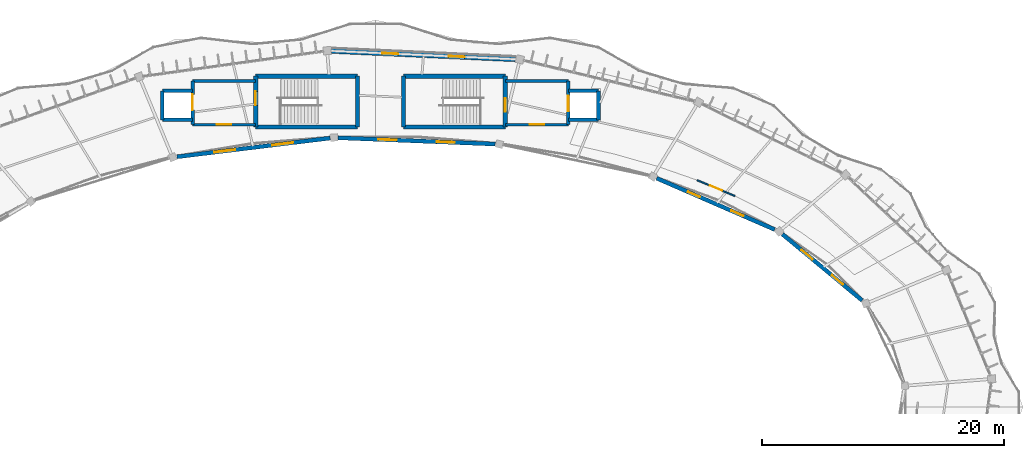
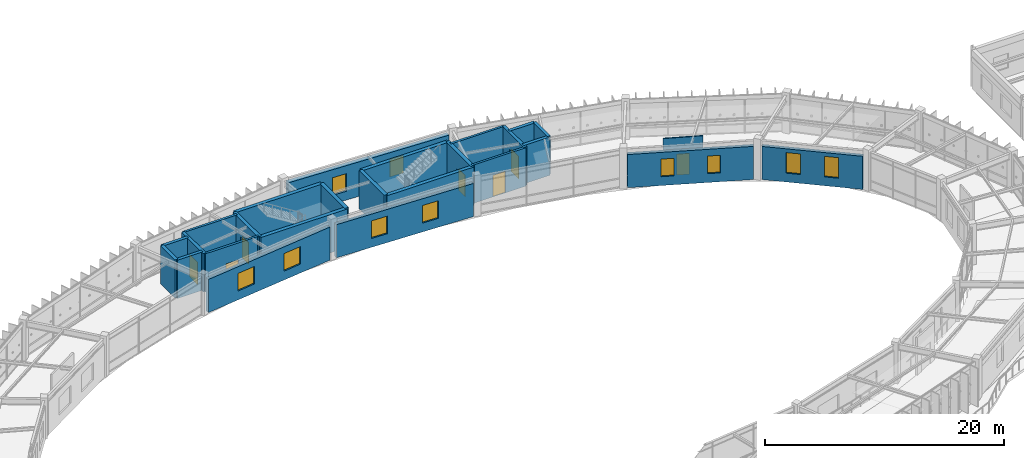
# One storey, part 94 of 114: 26 walls, 10 windows, 7 doors, 17 openings.
"""IFC4 building model written with IfcOpenShell, lengths in metres."""

from ifc_helpers import new_model, si_unit, direction, frame, frame_2d, origin, place, context, subcontext, project, spatial, rectangle, extrude, material, layer, layer_set, type_object, element, fill, save


model = new_model("IFC4")

# Units and contexts
model_context = context("Model", 3, precision=1e-05, world=origin(), true_north=direction((0.0, 1.0)))
body_context = subcontext(model_context, "Body", "Model", "MODEL_VIEW")
ifc_project = project(units=[si_unit("LENGTHUNIT", "METRE"), si_unit("AREAUNIT", "SQUARE_METRE"), si_unit("VOLUMEUNIT", "CUBIC_METRE"), si_unit("PLANEANGLEUNIT", "RADIAN"), si_unit("MASSUNIT", "GRAM", prefix="KILO"), si_unit("THERMODYNAMICTEMPERATUREUNIT", "KELVIN"), si_unit("POWERUNIT", "WATT")], contexts=[model_context])

# Site, building, storey
site_placement = place(None, origin())
site = spatial("IfcSite", under=ifc_project, at=site_placement, CompositionType="ELEMENT")
building_placement = place(site_placement, origin())
building = spatial("IfcBuilding", under=site, at=building_placement, Name="Darbajah Civic Hall", CompositionType="ELEMENT")
storey_placement = place(building_placement, frame((0.0, 0.0, 13.800048828125)))
storey = spatial("IfcBuildingStorey", under=building, at=storey_placement, Name="L03", CompositionType="ELEMENT", Elevation=13.800048828125)

# Wall, opening, door
ifc_material_1 = material(Name="Concrete C45/55", Category="concrete")
ifc_layer_1 = layer(ifc_material_1, 0.300048828125, Name="Concrete C45/55")
ifc_layer_set_1 = layer_set([ifc_layer_1], Name="Concrete C45/55")
wall_type_1 = type_object("IfcWallType", Name="Core Shear Wall 300mm", PredefinedType="SHEAR", material=ifc_layer_set_1)
wall_1_placement = place(storey_placement, frame((74.0, 116.699951171875, 0.0), z_axis=(0.0, 0.0, 1.0), x_axis=(0.0, -1.0, 0.0)))
wall_1 = element("IfcWall", 1, at=wall_1_placement, inside=storey, type_object=wall_type_1, Name="L03 firefighting lobby C01 wall W", PredefinedType="SHEAR", context=body_context, shape_type="SweptSolid", body=[
    extrude(rectangle(XDim=3.599853515625, YDim=0.300048828125, at=frame_2d((1.7998046875, 0.0))), origin(), (0.0, 0.0, 1.0), 3.919921875),
])
opening_1_placement = place(wall_1_placement, frame((1.10009765625, 0.0, 0.0)))
opening_1 = element("IfcOpeningElement", 2, at=opening_1_placement, cuts=wall_1, Name="Opening LD-0018", PredefinedType="OPENING", context=body_context, shape_type="SweptSolid", body=[
    extrude(rectangle(XDim=1.300048828125, YDim=2.300048828125, at=frame_2d((0.64990234375, 1.14990234375))), frame((0.0, 0.159912109375, 0.0), z_axis=(0.0, -1.0, 0.0), x_axis=(1.0, 0.0, 0.0)), (0.0, 0.0, 1.0), 0.320068359375),
])
ifc_material_2 = material(Name="Firefighting Lift Landing Door")
door_type_1 = type_object("IfcDoorType", Name="Lift Landing Door 1300x2300", OperationType="SLIDING_TO_LEFT", PredefinedType="DOOR", material=ifc_material_2)
door_1_placement = place(opening_1_placement, origin())
door_1 = element("IfcDoor", 3, at=door_1_placement, inside=storey, type_object=door_type_1, Name="L03 firefighting lift FL1 landing door LD-0018", OperationType="SLIDING_TO_LEFT", OverallHeight=2.300048828125, OverallWidth=1.300048828125, PredefinedType="DOOR", context=body_context, shape_type="SweptSolid", body=[
    extrude(rectangle(XDim=1.300048828125, YDim=2.300048828125, at=frame_2d((0.64990234375, 1.14990234375))), frame((0.0, 0.02490234375, 0.0), z_axis=(0.0, -1.0, 0.0), x_axis=(1.0, 0.0, 0.0)), (0.0, 0.0, 1.0), 0.050048828125),
])
fill(opening_1, door_1)

# Walls
for number, where, z_axis, x_axis, name in (
    (4, (74.0, 115.89990234375, 0.0), (0.0, 0.0, 1.0), (-1.0, 0.0, 0.0), "L03 lift FL1 shaft wall N"),
    (5, (71.5, 113.5, 0.0), (0.0, 0.0, 1.0), (1.0, 0.0, 0.0), "L03 lift FL1 shaft wall S"),
):
    element("IfcWall", number, at=place(storey_placement, frame(where, z_axis=z_axis, x_axis=x_axis)), inside=storey, type_object=wall_type_1, Name=name, PredefinedType="SHEAR", context=body_context, shape_type="SweptSolid", body=[
        extrude(rectangle(XDim=2.5, YDim=0.300048828125, at=frame_2d((1.25, 0.0))), origin(), (0.0, 0.0, 1.0), 3.919921875),
    ])
wall_2_placement = place(storey_placement, frame((71.5, 115.89990234375, 0.0), z_axis=(0.0, 0.0, 1.0), x_axis=(0.0, -1.0, 0.0)))
element("IfcWall", 6, at=wall_2_placement, inside=storey, type_object=wall_type_1, Name="L03 lift FL1 shaft wall OUT", PredefinedType="SHEAR", context=body_context, shape_type="SweptSolid", body=[
    extrude(rectangle(XDim=2.39990234375, YDim=0.300048828125, at=frame_2d((1.199951171875, 0.0))), origin(), (0.0, 0.0, 1.0), 3.919921875),
])

# Wall, opening, door
wall_3_placement = place(storey_placement, frame((105.0, 113.10009765625, 0.0), z_axis=(0.0, 0.0, 1.0), x_axis=(0.0, 1.0, 0.0)))
wall_3 = element("IfcWall", 7, at=wall_3_placement, inside=storey, type_object=wall_type_1, Name="L03 firefighting lobby C02 wall E", PredefinedType="SHEAR", context=body_context, shape_type="SweptSolid", body=[
    extrude(rectangle(XDim=3.599853515625, YDim=0.300048828125, at=frame_2d((1.7998046875, 0.0))), origin(), (0.0, 0.0, 1.0), 3.919921875),
])
opening_2_placement = place(wall_3_placement, frame((1.10009765625, 0.0, 0.0)))
opening_2 = element("IfcOpeningElement", 8, at=opening_2_placement, cuts=wall_3, Name="Opening LD-0039", PredefinedType="OPENING", context=body_context, shape_type="SweptSolid", body=[
    extrude(rectangle(XDim=1.300048828125, YDim=2.300048828125, at=frame_2d((0.64990234375, 1.14990234375))), frame((0.0, 0.159912109375, 0.0), z_axis=(0.0, -1.0, 0.0), x_axis=(1.0, 0.0, 0.0)), (0.0, 0.0, 1.0), 0.320068359375),
])
door_2_placement = place(opening_2_placement, origin())
door_2 = element("IfcDoor", 9, at=door_2_placement, inside=storey, type_object=door_type_1, Name="L03 firefighting lift FL2 landing door LD-0039", OperationType="SLIDING_TO_LEFT", OverallHeight=2.300048828125, OverallWidth=1.300048828125, PredefinedType="DOOR", context=body_context, shape_type="SweptSolid", body=[
    extrude(rectangle(XDim=1.300048828125, YDim=2.300048828125, at=frame_2d((0.64990234375, 1.14990234375))), frame((0.0, 0.02490234375, 0.0), z_axis=(0.0, -1.0, 0.0), x_axis=(1.0, 0.0, 0.0)), (0.0, 0.0, 1.0), 0.050048828125),
])
fill(opening_2, door_2)

# Walls
for number, where, z_axis, x_axis, name in (
    (10, (107.5, 115.89990234375, 0.0), (0.0, 0.0, 1.0), (-1.0, 0.0, 0.0), "L03 lift FL2 shaft wall N"),
    (11, (105.0, 113.5, 0.0), (0.0, 0.0, 1.0), (1.0, 0.0, 0.0), "L03 lift FL2 shaft wall S"),
):
    element("IfcWall", number, at=place(storey_placement, frame(where, z_axis=z_axis, x_axis=x_axis)), inside=storey, type_object=wall_type_1, Name=name, PredefinedType="SHEAR", context=body_context, shape_type="SweptSolid", body=[
        extrude(rectangle(XDim=2.5, YDim=0.300048828125, at=frame_2d((1.25, 0.0))), origin(), (0.0, 0.0, 1.0), 3.919921875),
    ])
wall_4_placement = place(storey_placement, frame((107.5, 113.5, 0.0), z_axis=(0.0, 0.0, 1.0), x_axis=(0.0, 1.0, 0.0)))
element("IfcWall", 12, at=wall_4_placement, inside=storey, type_object=wall_type_1, Name="L03 lift FL2 shaft wall OUT", PredefinedType="SHEAR", context=body_context, shape_type="SweptSolid", body=[
    extrude(rectangle(XDim=2.39990234375, YDim=0.300048828125, at=frame_2d((1.199951171875, 0.0))), origin(), (0.0, 0.0, 1.0), 3.919921875),
])
ifc_material_3 = material(Name="Concrete C50/60", Category="concrete")
ifc_layer_2 = layer(ifc_material_3, 0.35009765625, Name="Concrete C50/60")
ifc_layer_set_2 = layer_set([ifc_layer_2], Name="Concrete C50/60")
wall_type_2 = type_object("IfcWallType", Name="Core Shear Wall 350mm", PredefinedType="SHEAR", material=ifc_layer_set_2)
wall_5_placement = place(storey_placement, frame((79.199951171875, 112.89990234375, 0.0), z_axis=(0.0, 0.0, 1.0), x_axis=(1.0, 0.0, 0.0)))
element("IfcWall", 13, at=wall_5_placement, inside=storey, type_object=wall_type_2, Name="L03 core C01 shear wall S", PredefinedType="SHEAR", context=body_context, shape_type="SweptSolid", body=[
    extrude(rectangle(XDim=8.400146484375, YDim=0.35009765625, at=frame_2d((4.2001953125, 0.0))), origin(), (0.0, 0.0, 1.0), 3.919921875),
])
wall_6_placement = place(storey_placement, frame((87.60009765625, 112.89990234375, 0.0), z_axis=(0.0, 0.0, 1.0), x_axis=(0.0, 1.0, 0.0)))
element("IfcWall", 14, at=wall_6_placement, inside=storey, type_object=wall_type_2, Name="L03 core C01 shear wall E", PredefinedType="SHEAR", context=body_context, shape_type="SweptSolid", body=[
    extrude(rectangle(XDim=4.2001953125, YDim=0.35009765625, at=frame_2d((2.10009765625, 0.0))), origin(), (0.0, 0.0, 1.0), 3.919921875),
])
wall_7_placement = place(storey_placement, frame((87.60009765625, 117.10009765625, 0.0), z_axis=(0.0, 0.0, 1.0), x_axis=(-1.0, 0.0, 0.0)))
element("IfcWall", 15, at=wall_7_placement, inside=storey, type_object=wall_type_2, Name="L03 core C01 shear wall N", PredefinedType="SHEAR", context=body_context, shape_type="SweptSolid", body=[
    extrude(rectangle(XDim=8.400146484375, YDim=0.35009765625, at=frame_2d((4.2001953125, 0.0))), origin(), (0.0, 0.0, 1.0), 3.919921875),
])

# Wall, opening, door
wall_8_placement = place(storey_placement, frame((79.199951171875, 117.10009765625, 0.0), z_axis=(0.0, 0.0, 1.0), x_axis=(0.0, -1.0, 0.0)))
wall_8 = element("IfcWall", 16, at=wall_8_placement, inside=storey, type_object=wall_type_2, Name="L03 core C01 shear wall W", PredefinedType="SHEAR", context=body_context, shape_type="SweptSolid", body=[
    extrude(rectangle(XDim=4.2001953125, YDim=0.35009765625, at=frame_2d((2.10009765625, 0.0))), origin(), (0.0, 0.0, 1.0), 3.919921875),
])
opening_3_placement = place(wall_8_placement, frame((1.25, 0.0, 0.0)))
opening_3 = element("IfcOpeningElement", 17, at=opening_3_placement, cuts=wall_8, Name="Opening SD-0007", PredefinedType="OPENING", context=body_context, shape_type="SweptSolid", body=[
    extrude(rectangle(XDim=1.14990234375, YDim=2.199951171875, at=frame_2d((0.574951171875, 1.10009765625))), frame((0.0, 0.18505859375, 0.0), z_axis=(0.0, -1.0, 0.0), x_axis=(1.0, 0.0, 0.0)), (0.0, 0.0, 1.0), 0.3701171875),
])
ifc_material_4 = material(Name="Steel Rated Core Door", Category="steel")
door_type_2 = type_object("IfcDoorType", Name="Interior Door 1150x2200", OperationType="NOTDEFINED", PredefinedType="DOOR", material=ifc_material_4)
door_3_placement = place(opening_3_placement, origin())
door_3 = element("IfcDoor", 18, at=door_3_placement, inside=storey, type_object=door_type_2, Name="L03 stair ST01 fire door SD-0007", OperationType="SINGLE_SWING_RIGHT", OverallHeight=2.199951171875, OverallWidth=1.14990234375, PredefinedType="DOOR", context=body_context, shape_type="SweptSolid", body=[
    extrude(rectangle(XDim=1.14990234375, YDim=2.199951171875, at=frame_2d((0.574951171875, 1.10009765625))), frame((0.0, 0.02490234375, 0.0), z_axis=(0.0, -1.0, 0.0), x_axis=(1.0, 0.0, 0.0)), (0.0, 0.0, 1.0), 0.050048828125),
])
fill(opening_3, door_3)

# Wall
wall_9_placement = place(storey_placement, frame((91.39990234375, 112.89990234375, 0.0), z_axis=(0.0, 0.0, 1.0), x_axis=(1.0, 0.0, 0.0)))
element("IfcWall", 19, at=wall_9_placement, inside=storey, type_object=wall_type_2, Name="L03 core C02 shear wall S", PredefinedType="SHEAR", context=body_context, shape_type="SweptSolid", body=[
    extrude(rectangle(XDim=8.400146484375, YDim=0.35009765625, at=frame_2d((4.2001953125, 0.0))), origin(), (0.0, 0.0, 1.0), 3.919921875),
])

# Wall, opening, door
wall_10_placement = place(storey_placement, frame((99.800048828125, 112.89990234375, 0.0), z_axis=(0.0, 0.0, 1.0), x_axis=(0.0, 1.0, 0.0)))
wall_10 = element("IfcWall", 20, at=wall_10_placement, inside=storey, type_object=wall_type_2, Name="L03 core C02 shear wall E", PredefinedType="SHEAR", context=body_context, shape_type="SweptSolid", body=[
    extrude(rectangle(XDim=4.2001953125, YDim=0.35009765625, at=frame_2d((2.10009765625, 0.0))), origin(), (0.0, 0.0, 1.0), 3.919921875),
])
opening_4_placement = place(wall_10_placement, frame((1.25, 0.0, 0.0)))
opening_4 = element("IfcOpeningElement", 21, at=opening_4_placement, cuts=wall_10, Name="Opening SD-0028", PredefinedType="OPENING", context=body_context, shape_type="SweptSolid", body=[
    extrude(rectangle(XDim=1.14990234375, YDim=2.199951171875, at=frame_2d((0.574951171875, 1.10009765625))), frame((0.0, 0.18505859375, 0.0), z_axis=(0.0, -1.0, 0.0), x_axis=(1.0, 0.0, 0.0)), (0.0, 0.0, 1.0), 0.3701171875),
])
door_4_placement = place(opening_4_placement, origin())
door_4 = element("IfcDoor", 22, at=door_4_placement, inside=storey, type_object=door_type_2, Name="L03 stair ST02 fire door SD-0028", OperationType="SINGLE_SWING_LEFT", OverallHeight=2.199951171875, OverallWidth=1.14990234375, PredefinedType="DOOR", context=body_context, shape_type="SweptSolid", body=[
    extrude(rectangle(XDim=1.14990234375, YDim=2.199951171875, at=frame_2d((0.574951171875, 1.10009765625))), frame((0.0, 0.02490234375, 0.0), z_axis=(0.0, -1.0, 0.0), x_axis=(1.0, 0.0, 0.0)), (0.0, 0.0, 1.0), 0.050048828125),
])
fill(opening_4, door_4)

# Walls
wall_11_placement = place(storey_placement, frame((99.800048828125, 117.10009765625, 0.0), z_axis=(0.0, 0.0, 1.0), x_axis=(-1.0, 0.0, 0.0)))
element("IfcWall", 23, at=wall_11_placement, inside=storey, type_object=wall_type_2, Name="L03 core C02 shear wall N", PredefinedType="SHEAR", context=body_context, shape_type="SweptSolid", body=[
    extrude(rectangle(XDim=8.400146484375, YDim=0.35009765625, at=frame_2d((4.2001953125, 0.0))), origin(), (0.0, 0.0, 1.0), 3.919921875),
])
wall_12_placement = place(storey_placement, frame((91.39990234375, 117.10009765625, 0.0), z_axis=(0.0, 0.0, 1.0), x_axis=(0.0, -1.0, 0.0)))
element("IfcWall", 24, at=wall_12_placement, inside=storey, type_object=wall_type_2, Name="L03 core C02 shear wall W", PredefinedType="SHEAR", context=body_context, shape_type="SweptSolid", body=[
    extrude(rectangle(XDim=4.2001953125, YDim=0.35009765625, at=frame_2d((2.10009765625, 0.0))), origin(), (0.0, 0.0, 1.0), 3.919921875),
])

# Wall, openings, windows
ifc_material_5 = material(Name="Qatari Desert Limestone Ashlar", Category="masonry")
ifc_layer_3 = layer(ifc_material_5, 0.340087890625, Name="Qatari Desert Limestone Ashlar")
ifc_layer_set_3 = layer_set([ifc_layer_3], Name="Qatari Desert Limestone Ashlar")
wall_type_3 = type_object("IfcWallType", Name="Exterior Wall 340mm", PredefinedType="SOLIDWALL", material=ifc_layer_set_3)
wall_13_placement = place(storey_placement, frame((129.252685546875, 98.593994140625, 0.0), z_axis=(0.0, 0.0, 1.0), x_axis=(-0.769172673216, 0.639040999293, 0.0)))
wall_13 = element("IfcWall", 25, at=wall_13_placement, inside=storey, type_object=wall_type_3, Name="L03 exterior wall EW-340", PredefinedType="SOLIDWALL", context=body_context, shape_type="SweptSolid", body=[
    extrude(rectangle(XDim=8.55322265625, YDim=0.340087890625, at=frame_2d((4.276611328125, 0.0))), origin(), (0.0, 0.0, 1.0), 3.386962890625),
])
opening_5_placement = place(wall_13_placement, frame((2.051025390625, 0.0, 0.89990234375)))
opening_5 = element("IfcOpeningElement", 26, at=opening_5_placement, cuts=wall_13, Name="Opening WN-01", PredefinedType="OPENING", context=body_context, shape_type="SweptSolid", body=[
    extrude(rectangle(XDim=1.199951171875, YDim=2.10009765625, at=frame_2d((0.60009765625, 1.050048828125))), frame((0.0, 0.179931640625, 0.0), z_axis=(0.0, -1.0, 0.0), x_axis=(1.0, 0.0, 0.0)), (0.0, 0.0, 1.0), 0.360107421875),
])
opening_6_placement = place(wall_13_placement, frame((5.302001953125, 0.0, 0.89990234375)))
opening_6 = element("IfcOpeningElement", 27, at=opening_6_placement, cuts=wall_13, Name="Opening WN-01", PredefinedType="OPENING", context=body_context, shape_type="SweptSolid", body=[
    extrude(rectangle(XDim=1.199951171875, YDim=2.10009765625, at=frame_2d((0.60009765625, 1.050048828125))), frame((0.0, 0.179931640625, 0.0), z_axis=(0.0, -1.0, 0.0), x_axis=(1.0, 0.0, 0.0)), (0.0, 0.0, 1.0), 0.360107421875),
])
ifc_material_6 = material(Name="Low-E Solar Control Double Glazing", Category="glass")
window_type_1 = type_object("IfcWindowType", Name="Facade Window 1200x2100", PartitioningType="SINGLE_PANEL", PredefinedType="WINDOW", material=ifc_material_6)
window_1_placement = place(opening_5_placement, origin())
window_1 = element("IfcWindow", 28, at=window_1_placement, inside=storey, type_object=window_type_1, Name="L03 facade window WN-01", OverallHeight=2.10009765625, OverallWidth=1.199951171875, PartitioningType="SINGLE_PANEL", PredefinedType="WINDOW", context=body_context, shape_type="SweptSolid", body=[
    extrude(rectangle(XDim=1.199951171875, YDim=2.10009765625, at=frame_2d((0.60009765625, 1.050048828125))), frame((0.0, 0.030029296875, 0.0), z_axis=(0.0, -1.0, 0.0), x_axis=(1.0, 0.0, 0.0)), (0.0, 0.0, 1.0), 0.06005859375),
])
fill(opening_5, window_1)
window_2_placement = place(opening_6_placement, origin())
window_2 = element("IfcWindow", 29, at=window_2_placement, inside=storey, type_object=window_type_1, Name="L03 facade window WN-01", OverallHeight=2.10009765625, OverallWidth=1.199951171875, PartitioningType="SINGLE_PANEL", PredefinedType="WINDOW", context=body_context, shape_type="SweptSolid", body=[
    extrude(rectangle(XDim=1.199951171875, YDim=2.10009765625, at=frame_2d((0.60009765625, 1.050048828125))), frame((0.0, 0.030029296875, 0.0), z_axis=(0.0, -1.0, 0.0), x_axis=(1.0, 0.0, 0.0)), (0.0, 0.0, 1.0), 0.06005859375),
])
fill(opening_6, window_2)

wall_14_placement = place(storey_placement, frame((122.0361328125, 104.443359375, 0.0), z_axis=(0.0, 0.0, 1.0), x_axis=(-0.917049952, 0.39877234801, 0.0)))
wall_14 = element("IfcWall", 30, at=wall_14_placement, inside=storey, type_object=wall_type_3, Name="L03 exterior wall EW-340", PredefinedType="SOLIDWALL", context=body_context, shape_type="SweptSolid", body=[
    extrude(rectangle(XDim=10.619140625, YDim=0.340087890625, at=frame_2d((5.3095703125, 0.0))), origin(), (0.0, 0.0, 1.0), 3.386962890625),
])
opening_7_placement = place(wall_14_placement, frame((2.806396484375, 0.0, 0.89990234375)))
opening_7 = element("IfcOpeningElement", 31, at=opening_7_placement, cuts=wall_14, Name="Opening WN-17", PredefinedType="OPENING", context=body_context, shape_type="SweptSolid", body=[
    extrude(rectangle(XDim=1.10009765625, YDim=1.800048828125, at=frame_2d((0.550048828125, 0.89990234375))), frame((0.0, 0.179931640625, 0.0), z_axis=(0.0, -1.0, 0.0), x_axis=(1.0, 0.0, 0.0)), (0.0, 0.0, 1.0), 0.360107421875),
])
opening_8_placement = place(wall_14_placement, frame((6.712646484375, 0.0, 0.89990234375)))
opening_8 = element("IfcOpeningElement", 32, at=opening_8_placement, cuts=wall_14, Name="Opening WN-17", PredefinedType="OPENING", context=body_context, shape_type="SweptSolid", body=[
    extrude(rectangle(XDim=1.10009765625, YDim=1.800048828125, at=frame_2d((0.550048828125, 0.89990234375))), frame((0.0, 0.179931640625, 0.0), z_axis=(0.0, -1.0, 0.0), x_axis=(1.0, 0.0, 0.0)), (0.0, 0.0, 1.0), 0.360107421875),
])
window_type_2 = type_object("IfcWindowType", Name="Facade Window 1100x1800", PartitioningType="SINGLE_PANEL", PredefinedType="WINDOW", material=ifc_material_6)
window_3_placement = place(opening_7_placement, origin())
window_3 = element("IfcWindow", 33, at=window_3_placement, inside=storey, type_object=window_type_2, Name="L03 facade window WN-17", OverallHeight=1.800048828125, OverallWidth=1.10009765625, PartitioningType="SINGLE_PANEL", PredefinedType="WINDOW", context=body_context, shape_type="SweptSolid", body=[
    extrude(rectangle(XDim=1.10009765625, YDim=1.800048828125, at=frame_2d((0.550048828125, 0.89990234375))), frame((0.0, 0.030029296875, 0.0), z_axis=(0.0, -1.0, 0.0), x_axis=(1.0, 0.0, 0.0)), (0.0, 0.0, 1.0), 0.06005859375),
])
fill(opening_7, window_3)
window_4_placement = place(opening_8_placement, origin())
window_4 = element("IfcWindow", 34, at=window_4_placement, inside=storey, type_object=window_type_2, Name="L03 facade window WN-17", OverallHeight=1.800048828125, OverallWidth=1.10009765625, PartitioningType="SINGLE_PANEL", PredefinedType="WINDOW", context=body_context, shape_type="SweptSolid", body=[
    extrude(rectangle(XDim=1.10009765625, YDim=1.800048828125, at=frame_2d((0.550048828125, 0.89990234375))), frame((0.0, 0.030029296875, 0.0), z_axis=(0.0, -1.0, 0.0), x_axis=(1.0, 0.0, 0.0)), (0.0, 0.0, 1.0), 0.06005859375),
])
fill(opening_8, window_4)

wall_15_placement = place(storey_placement, frame((98.970703125, 111.498046875, 0.0), z_axis=(0.0, 0.0, 1.0), x_axis=(-0.999198222714, 0.040036380023, 0.0)))
wall_15 = element("IfcWall", 35, at=wall_15_placement, inside=storey, type_object=wall_type_3, Name="L03 exterior wall EW-340", PredefinedType="SOLIDWALL", context=body_context, shape_type="SweptSolid", body=[
    extrude(rectangle(XDim=12.982666015625, YDim=0.340087890625, at=frame_2d((6.4912109375, 0.0))), origin(), (0.0, 0.0, 1.0), 3.386962890625),
])
opening_9_placement = place(wall_15_placement, frame((3.327392578125, 0.0, 0.89990234375)))
opening_9 = element("IfcOpeningElement", 36, at=opening_9_placement, cuts=wall_15, Name="Opening WN-19", PredefinedType="OPENING", context=body_context, shape_type="SweptSolid", body=[
    extrude(rectangle(XDim=1.5, YDim=1.800048828125, at=frame_2d((0.75, 0.89990234375))), frame((0.0, 0.179931640625, 0.0), z_axis=(0.0, -1.0, 0.0), x_axis=(1.0, 0.0, 0.0)), (0.0, 0.0, 1.0), 0.360107421875),
])
opening_10_placement = place(wall_15_placement, frame((8.15478515625, 0.0, 0.89990234375)))
opening_10 = element("IfcOpeningElement", 37, at=opening_10_placement, cuts=wall_15, Name="Opening WN-19", PredefinedType="OPENING", context=body_context, shape_type="SweptSolid", body=[
    extrude(rectangle(XDim=1.5, YDim=1.800048828125, at=frame_2d((0.75, 0.89990234375))), frame((0.0, 0.179931640625, 0.0), z_axis=(0.0, -1.0, 0.0), x_axis=(1.0, 0.0, 0.0)), (0.0, 0.0, 1.0), 0.360107421875),
])
window_type_3 = type_object("IfcWindowType", Name="Facade Window 1500x1800", PartitioningType="SINGLE_PANEL", PredefinedType="WINDOW", material=ifc_material_6)
window_5_placement = place(opening_9_placement, origin())
window_5 = element("IfcWindow", 38, at=window_5_placement, inside=storey, type_object=window_type_3, Name="L03 facade window WN-19", OverallHeight=1.800048828125, OverallWidth=1.5, PartitioningType="SINGLE_PANEL", PredefinedType="WINDOW", context=body_context, shape_type="SweptSolid", body=[
    extrude(rectangle(XDim=1.5, YDim=1.800048828125, at=frame_2d((0.75, 0.89990234375))), frame((0.0, 0.030029296875, 0.0), z_axis=(0.0, -1.0, 0.0), x_axis=(1.0, 0.0, 0.0)), (0.0, 0.0, 1.0), 0.06005859375),
])
fill(opening_9, window_5)
window_6_placement = place(opening_10_placement, origin())
window_6 = element("IfcWindow", 39, at=window_6_placement, inside=storey, type_object=window_type_3, Name="L03 facade window WN-19", OverallHeight=1.800048828125, OverallWidth=1.5, PartitioningType="SINGLE_PANEL", PredefinedType="WINDOW", context=body_context, shape_type="SweptSolid", body=[
    extrude(rectangle(XDim=1.5, YDim=1.800048828125, at=frame_2d((0.75, 0.89990234375))), frame((0.0, 0.030029296875, 0.0), z_axis=(0.0, -1.0, 0.0), x_axis=(1.0, 0.0, 0.0)), (0.0, 0.0, 1.0), 0.06005859375),
])
fill(opening_10, window_6)

wall_16_placement = place(storey_placement, frame((85.351318359375, 111.9931640625, 0.0), z_axis=(0.0, 0.0, 1.0), x_axis=(-0.992610953185, -0.121340412138, 0.0)))
wall_16 = element("IfcWall", 40, at=wall_16_placement, inside=storey, type_object=wall_type_3, Name="L03 exterior wall EW-340", PredefinedType="SOLIDWALL", context=body_context, shape_type="SweptSolid", body=[
    extrude(rectangle(XDim=12.73828125, YDim=0.340087890625, at=frame_2d((6.369140625, 0.0))), origin(), (0.0, 0.0, 1.0), 3.386962890625),
])
opening_11_placement = place(wall_16_placement, frame((3.079345703125, 0.0, 0.89990234375)))
opening_11 = element("IfcOpeningElement", 41, at=opening_11_placement, cuts=wall_16, Name="Opening WN-20", PredefinedType="OPENING", context=body_context, shape_type="SweptSolid", body=[
    extrude(rectangle(XDim=1.75, YDim=1.800048828125, at=frame_2d((0.875, 0.89990234375))), frame((0.0, 0.179931640625, 0.0), z_axis=(0.0, -1.0, 0.0), x_axis=(1.0, 0.0, 0.0)), (0.0, 0.0, 1.0), 0.360107421875),
])
opening_12_placement = place(wall_16_placement, frame((7.90869140625, 0.0, 0.89990234375)))
opening_12 = element("IfcOpeningElement", 42, at=opening_12_placement, cuts=wall_16, Name="Opening WN-20", PredefinedType="OPENING", context=body_context, shape_type="SweptSolid", body=[
    extrude(rectangle(XDim=1.75, YDim=1.800048828125, at=frame_2d((0.875, 0.89990234375))), frame((0.0, 0.179931640625, 0.0), z_axis=(0.0, -1.0, 0.0), x_axis=(1.0, 0.0, 0.0)), (0.0, 0.0, 1.0), 0.360107421875),
])
window_type_4 = type_object("IfcWindowType", Name="Facade Window 1750x1800", PartitioningType="DOUBLE_PANEL_VERTICAL", PredefinedType="WINDOW", material=ifc_material_6)
window_7_placement = place(opening_11_placement, origin())
window_7 = element("IfcWindow", 43, at=window_7_placement, inside=storey, type_object=window_type_4, Name="L03 facade window WN-20", OverallHeight=1.800048828125, OverallWidth=1.75, PartitioningType="SINGLE_PANEL", PredefinedType="WINDOW", context=body_context, shape_type="SweptSolid", body=[
    extrude(rectangle(XDim=1.75, YDim=1.800048828125, at=frame_2d((0.875, 0.89990234375))), frame((0.0, 0.030029296875, 0.0), z_axis=(0.0, -1.0, 0.0), x_axis=(1.0, 0.0, 0.0)), (0.0, 0.0, 1.0), 0.06005859375),
])
fill(opening_11, window_7)
window_8_placement = place(opening_12_placement, origin())
window_8 = element("IfcWindow", 44, at=window_8_placement, inside=storey, type_object=window_type_4, Name="L03 facade window WN-20", OverallHeight=1.800048828125, OverallWidth=1.75, PartitioningType="SINGLE_PANEL", PredefinedType="WINDOW", context=body_context, shape_type="SweptSolid", body=[
    extrude(rectangle(XDim=1.75, YDim=1.800048828125, at=frame_2d((0.875, 0.89990234375))), frame((0.0, 0.030029296875, 0.0), z_axis=(0.0, -1.0, 0.0), x_axis=(1.0, 0.0, 0.0)), (0.0, 0.0, 1.0), 0.06005859375),
])
fill(opening_12, window_8)

ifc_layer_4 = layer(ifc_material_5, 0.419921875, Name="Qatari Desert Limestone Ashlar")
ifc_layer_set_4 = layer_set([ifc_layer_4], Name="Qatari Desert Limestone Ashlar")
wall_type_4 = type_object("IfcWallType", Name="Exterior Wall 420mm", PredefinedType="SOLIDWALL", material=ifc_layer_set_4)
wall_17_placement = place(storey_placement, frame((100.62353515625, 118.502197265625, 0.0), z_axis=(0.0, 0.0, 1.0), x_axis=(-0.99896535354, 0.045477713525, 0.0)))
wall_17 = element("IfcWall", 45, at=wall_17_placement, inside=storey, type_object=wall_type_4, Name="L03 exterior wall EW-420", PredefinedType="SOLIDWALL", context=body_context, shape_type="SweptSolid", body=[
    extrude(rectangle(XDim=15.17626953125, YDim=0.419921875, at=frame_2d((7.588134765625, 0.0))), origin(), (0.0, 0.0, 1.0), 3.52001953125),
])
opening_13_placement = place(wall_17_placement, frame((4.192138671875, 0.0, 0.89990234375)))
opening_13 = element("IfcOpeningElement", 46, at=opening_13_placement, cuts=wall_17, Name="Opening WN-18", PredefinedType="OPENING", context=body_context, shape_type="SweptSolid", body=[
    extrude(rectangle(XDim=1.300048828125, YDim=1.800048828125, at=frame_2d((0.64990234375, 0.89990234375))), frame((0.0, 0.219970703125, 0.0), z_axis=(0.0, -1.0, 0.0), x_axis=(1.0, 0.0, 0.0)), (0.0, 0.0, 1.0), 0.43994140625),
])
opening_14_placement = place(wall_17_placement, frame((9.68408203125, 0.0, 0.89990234375)))
opening_14 = element("IfcOpeningElement", 47, at=opening_14_placement, cuts=wall_17, Name="Opening WN-18", PredefinedType="OPENING", context=body_context, shape_type="SweptSolid", body=[
    extrude(rectangle(XDim=1.300048828125, YDim=1.800048828125, at=frame_2d((0.64990234375, 0.89990234375))), frame((0.0, 0.219970703125, 0.0), z_axis=(0.0, -1.0, 0.0), x_axis=(1.0, 0.0, 0.0)), (0.0, 0.0, 1.0), 0.43994140625),
])
window_type_5 = type_object("IfcWindowType", Name="Facade Window 1300x1800", PartitioningType="SINGLE_PANEL", PredefinedType="WINDOW", material=ifc_material_6)
window_9_placement = place(opening_13_placement, origin())
window_9 = element("IfcWindow", 48, at=window_9_placement, inside=storey, type_object=window_type_5, Name="L03 facade window WN-18", OverallHeight=1.800048828125, OverallWidth=1.300048828125, PartitioningType="SINGLE_PANEL", PredefinedType="WINDOW", context=body_context, shape_type="SweptSolid", body=[
    extrude(rectangle(XDim=1.300048828125, YDim=1.800048828125, at=frame_2d((0.64990234375, 0.89990234375))), frame((0.0, 0.030029296875, 0.0), z_axis=(0.0, -1.0, 0.0), x_axis=(1.0, 0.0, 0.0)), (0.0, 0.0, 1.0), 0.06005859375),
])
fill(opening_13, window_9)
window_10_placement = place(opening_14_placement, origin())
window_10 = element("IfcWindow", 49, at=window_10_placement, inside=storey, type_object=window_type_5, Name="L03 facade window WN-18", OverallHeight=1.800048828125, OverallWidth=1.300048828125, PartitioningType="SINGLE_PANEL", PredefinedType="WINDOW", context=body_context, shape_type="SweptSolid", body=[
    extrude(rectangle(XDim=1.300048828125, YDim=1.800048828125, at=frame_2d((0.64990234375, 0.89990234375))), frame((0.0, 0.030029296875, 0.0), z_axis=(0.0, -1.0, 0.0), x_axis=(1.0, 0.0, 0.0)), (0.0, 0.0, 1.0), 0.06005859375),
])
fill(opening_14, window_10)

# Wall, opening, door
ifc_layer_5 = layer(ifc_material_1, 0.219970703125, Name="Concrete C45/55")
ifc_layer_set_5 = layer_set([ifc_layer_5], Name="Concrete C45/55")
wall_type_5 = type_object("IfcWallType", Name="Firefighting Shaft Wall 220mm", PredefinedType="SOLIDWALL", material=ifc_layer_set_5)
wall_18_placement = place(storey_placement, frame((74.0, 113.10009765625, 0.0), z_axis=(0.0, 0.0, 1.0), x_axis=(1.0, 0.0, 0.0)))
wall_18 = element("IfcWall", 50, at=wall_18_placement, inside=storey, type_object=wall_type_5, Name="L03 firefighting lobby C01 wall S", PredefinedType="SOLIDWALL", context=body_context, shape_type="SweptSolid", body=[
    extrude(rectangle(XDim=5.199951171875, YDim=0.219970703125, at=frame_2d((2.60009765625, 0.0))), origin(), (0.0, 0.0, 1.0), 3.919921875),
])
opening_15_placement = place(wall_18_placement, frame((2.0, 0.0, 0.0)))
opening_15 = element("IfcOpeningElement", 51, at=opening_15_placement, cuts=wall_18, Name="Opening FD-0008", PredefinedType="OPENING", context=body_context, shape_type="SweptSolid", body=[
    extrude(rectangle(XDim=1.199951171875, YDim=2.199951171875, at=frame_2d((0.60009765625, 1.10009765625))), frame((0.0, 0.119873046875, 0.0), z_axis=(0.0, -1.0, 0.0), x_axis=(1.0, 0.0, 0.0)), (0.0, 0.0, 1.0), 0.239990234375),
])
ifc_material_7 = material(Name="Painted Hardwood Fire Door", Category="wood")
door_type_3 = type_object("IfcDoorType", Name="Interior Door 1200x2200", OperationType="NOTDEFINED", PredefinedType="DOOR", material=ifc_material_7)
door_5_placement = place(opening_15_placement, origin())
door_5 = element("IfcDoor", 52, at=door_5_placement, inside=storey, type_object=door_type_3, Name="L03 firefighting lobby C01 entrance door FD-0008", OperationType="SINGLE_SWING_LEFT", OverallHeight=2.199951171875, OverallWidth=1.199951171875, PredefinedType="DOOR", context=body_context, shape_type="SweptSolid", body=[
    extrude(rectangle(XDim=1.199951171875, YDim=2.199951171875, at=frame_2d((0.60009765625, 1.10009765625))), frame((0.0, 0.02490234375, 0.0), z_axis=(0.0, -1.0, 0.0), x_axis=(1.0, 0.0, 0.0)), (0.0, 0.0, 1.0), 0.050048828125),
])
fill(opening_15, door_5)

# Wall
wall_19_placement = place(storey_placement, frame((79.199951171875, 116.699951171875, 0.0), z_axis=(0.0, 0.0, 1.0), x_axis=(-1.0, 0.0, 0.0)))
element("IfcWall", 53, at=wall_19_placement, inside=storey, type_object=wall_type_5, Name="L03 firefighting lobby C01 wall N", PredefinedType="SOLIDWALL", context=body_context, shape_type="SweptSolid", body=[
    extrude(rectangle(XDim=5.199951171875, YDim=0.219970703125, at=frame_2d((2.60009765625, 0.0))), origin(), (0.0, 0.0, 1.0), 3.919921875),
])

# Wall, opening, door
wall_20_placement = place(storey_placement, frame((99.800048828125, 113.10009765625, 0.0), z_axis=(0.0, 0.0, 1.0), x_axis=(1.0, 0.0, 0.0)))
wall_20 = element("IfcWall", 54, at=wall_20_placement, inside=storey, type_object=wall_type_5, Name="L03 firefighting lobby C02 wall S", PredefinedType="SOLIDWALL", context=body_context, shape_type="SweptSolid", body=[
    extrude(rectangle(XDim=5.199951171875, YDim=0.219970703125, at=frame_2d((2.60009765625, 0.0))), origin(), (0.0, 0.0, 1.0), 3.919921875),
])
opening_16_placement = place(wall_20_placement, frame((2.0, 0.0, 0.0)))
opening_16 = element("IfcOpeningElement", 55, at=opening_16_placement, cuts=wall_20, Name="Opening FD-0029", PredefinedType="OPENING", context=body_context, shape_type="SweptSolid", body=[
    extrude(rectangle(XDim=1.199951171875, YDim=2.199951171875, at=frame_2d((0.60009765625, 1.10009765625))), frame((0.0, 0.119873046875, 0.0), z_axis=(0.0, -1.0, 0.0), x_axis=(1.0, 0.0, 0.0)), (0.0, 0.0, 1.0), 0.239990234375),
])
door_6_placement = place(opening_16_placement, origin())
door_6 = element("IfcDoor", 56, at=door_6_placement, inside=storey, type_object=door_type_3, Name="L03 firefighting lobby C02 entrance door FD-0029", OperationType="SINGLE_SWING_RIGHT", OverallHeight=2.199951171875, OverallWidth=1.199951171875, PredefinedType="DOOR", context=body_context, shape_type="SweptSolid", body=[
    extrude(rectangle(XDim=1.199951171875, YDim=2.199951171875, at=frame_2d((0.60009765625, 1.10009765625))), frame((0.0, 0.02490234375, 0.0), z_axis=(0.0, -1.0, 0.0), x_axis=(1.0, 0.0, 0.0)), (0.0, 0.0, 1.0), 0.050048828125),
])
fill(opening_16, door_6)

# Wall
wall_21_placement = place(storey_placement, frame((105.0, 116.699951171875, 0.0), z_axis=(0.0, 0.0, 1.0), x_axis=(-1.0, 0.0, 0.0)))
element("IfcWall", 57, at=wall_21_placement, inside=storey, type_object=wall_type_5, Name="L03 firefighting lobby C02 wall N", PredefinedType="SOLIDWALL", context=body_context, shape_type="SweptSolid", body=[
    extrude(rectangle(XDim=5.199951171875, YDim=0.219970703125, at=frame_2d((2.60009765625, 0.0))), origin(), (0.0, 0.0, 1.0), 3.919921875),
])

# Wall, opening, door
ifc_material_8 = material(Name="Acoustic Gypsum Partition")
ifc_layer_6 = layer(ifc_material_8, 0.114990234375, Name="Acoustic Gypsum Partition")
ifc_layer_set_6 = layer_set([ifc_layer_6], Name="Acoustic Gypsum Partition")
wall_type_6 = type_object("IfcWallType", Name="Interior Partition 115mm", PredefinedType="PARTITIONING", material=ifc_layer_set_6)
wall_22_placement = place(storey_placement, frame((118.752197265625, 107.213134765625, 0.0), z_axis=(0.0, 0.0, 1.0), x_axis=(-0.922037872989, 0.387099678086, 0.0)))
wall_22 = element("IfcWall", 58, at=wall_22_placement, inside=storey, type_object=wall_type_6, Name="L03 interior partition L03-V1-03", PredefinedType="PARTITIONING", context=body_context, shape_type="SweptSolid", body=[
    extrude(rectangle(XDim=3.37548828125, YDim=0.114990234375, at=frame_2d((1.687744140625, 0.0))), origin(), (0.0, 0.0, 1.0), 3.85986328125),
])
opening_17_placement = place(wall_22_placement, frame((1.1376953125, 0.0, 0.0)))
opening_17 = element("IfcOpeningElement", 59, at=opening_17_placement, cuts=wall_22, Name="Opening D-0223", PredefinedType="OPENING", context=body_context, shape_type="SweptSolid", body=[
    extrude(rectangle(XDim=1.10009765625, YDim=2.14990234375, at=frame_2d((0.550048828125, 1.074951171875))), frame((0.0, 0.0673828125, 0.0), z_axis=(0.0, -1.0, 0.0), x_axis=(1.0, 0.0, 0.0)), (0.0, 0.0, 1.0), 0.135009765625),
])
ifc_material_9 = material(Name="Acoustic Oak Office Door")
door_type_4 = type_object("IfcDoorType", Name="Interior Door 1100x2150", OperationType="NOTDEFINED", PredefinedType="DOOR", material=ifc_material_9)
door_7_placement = place(opening_17_placement, origin())
door_7 = element("IfcDoor", 60, at=door_7_placement, inside=storey, type_object=door_type_4, Name="L03 L03-V1-03 door D-0223", OperationType="SINGLE_SWING_RIGHT", OverallHeight=2.14990234375, OverallWidth=1.10009765625, PredefinedType="DOOR", context=body_context, shape_type="SweptSolid", body=[
    extrude(rectangle(XDim=1.10009765625, YDim=2.14990234375, at=frame_2d((0.550048828125, 1.074951171875))), frame((0.0, 0.02490234375, 0.0), z_axis=(0.0, -1.0, 0.0), x_axis=(1.0, 0.0, 0.0)), (0.0, 0.0, 1.0), 0.050048828125),
])
fill(opening_17, door_7)

save(model, "model.ifc")
